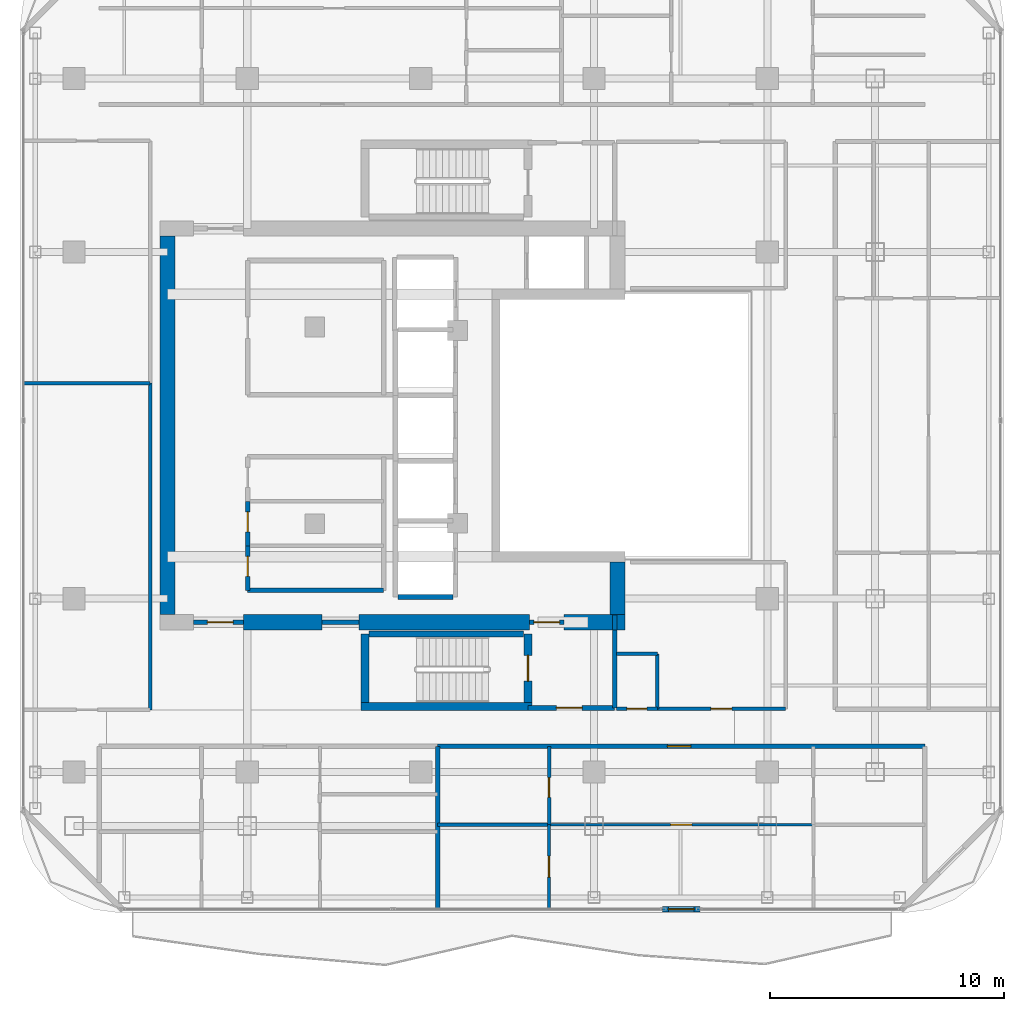
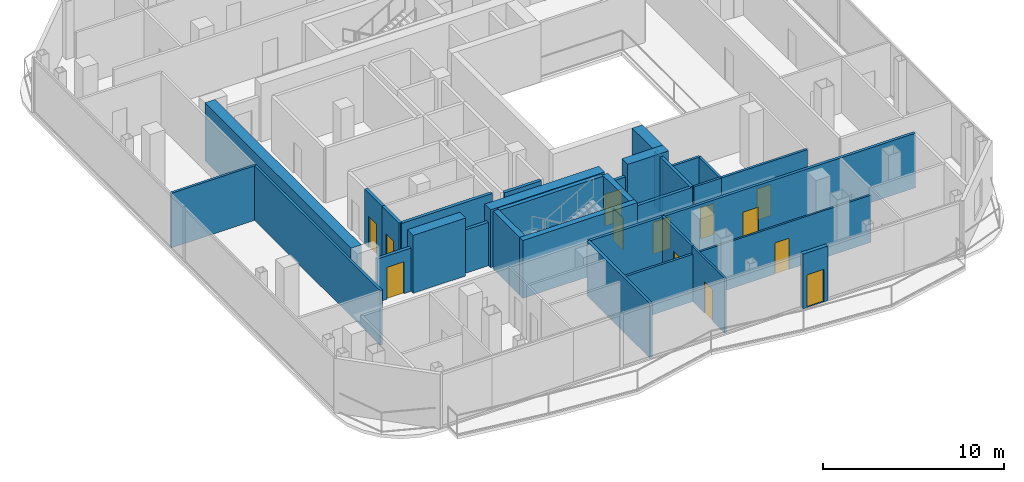
# One storey, part 16 of 22: 32 walls, 13 doors, 13 openings.
"""IFC4 building model written with IfcOpenShell, lengths in metres."""

from ifc_helpers import new_model, si_unit, direction, frame, frame_2d, origin, place, context, subcontext, project, spatial, rectangle, extrude, material, layer, layer_set, type_object, element, fill, save


model = new_model("IFC4")

# Units and contexts
model_context = context("Model", 3, precision=1e-05, world=origin(), true_north=direction((0.0, 1.0)))
body_context = subcontext(model_context, "Body", "Model", "MODEL_VIEW")
ifc_project = project(units=[si_unit("LENGTHUNIT", "METRE"), si_unit("AREAUNIT", "SQUARE_METRE"), si_unit("VOLUMEUNIT", "CUBIC_METRE"), si_unit("PLANEANGLEUNIT", "RADIAN"), si_unit("MASSUNIT", "GRAM", prefix="KILO")], contexts=[model_context])

# Site, building, storey
site_placement = place(None, origin())
site = spatial("IfcSite", under=ifc_project, at=site_placement, CompositionType="ELEMENT")
building_placement = place(site_placement, origin())
building = spatial("IfcBuilding", under=site, at=building_placement, Name="Khorvyn Point Tower", CompositionType="ELEMENT")
storey_placement = place(building_placement, frame((0.0, 0.0, 278.10009765625)))
storey = spatial("IfcBuildingStorey", under=building, at=storey_placement, Name="L68", CompositionType="ELEMENT", Elevation=278.10009765625)

# Wall, opening, door
ifc_material_1 = material(Name="Double acoustic gypsum on twin steel stud", Category="steel")
ifc_layer_1 = layer(ifc_material_1, 0.179931640625)
ifc_layer_set_1 = layer_set([ifc_layer_1], Name="Acoustic Double-Stud Apartment Demising Wall 180")
wall_type_1 = type_object("IfcWallType", Name="Acoustic Double-Stud Apartment Demising Wall 180", PredefinedType="PARTITIONING", material=ifc_layer_set_1)
wall_1_placement = place(storey_placement, frame((0.72802734375, -13.699951171875, 0.0), z_axis=(0.0, 0.0, 1.0), x_axis=(1.0, 0.0, 0.0)))
wall_1 = element("IfcWall", 1, at=wall_1_placement, inside=storey, type_object=wall_type_1, Name="Wall", PredefinedType="PARTITIONING", context=body_context, shape_type="SweptSolid", body=[
    extrude(rectangle(XDim=20.7919921875, YDim=0.179931640625, at=frame_2d((10.39599609375, 0.0))), origin(), (0.0, 0.0, 1.0), 3.679931640625),
])
opening_1_placement = place(wall_1_placement, frame((9.806640625, 0.0, 0.0)))
opening_1 = element("IfcOpeningElement", 2, at=opening_1_placement, cuts=wall_1, Name="Opening ID-AP60", PredefinedType="OPENING", context=body_context, shape_type="SweptSolid", body=[
    extrude(rectangle(XDim=1.0, YDim=2.199951171875, at=frame_2d((0.5, 1.10009765625))), frame((0.0, 0.099853515625, 0.0), z_axis=(0.0, -1.0, 0.0), x_axis=(1.0, 0.0, 0.0)), (0.0, 0.0, 1.0), 0.199951171875),
])
ifc_material_2 = material(Name="Engineered hardwood fire-rated leaf", Category="wood")
door_type_1 = type_object("IfcDoorType", Name="Acoustic Solid-Core Timber Apartment Entrance Door 1000x2200", OperationType="NOTDEFINED", PredefinedType="DOOR", material=ifc_material_2)
door_1_placement = place(opening_1_placement, origin())
door_1 = element("IfcDoor", 3, at=door_1_placement, inside=storey, type_object=door_type_1, Name="Door", OperationType="SINGLE_SWING_RIGHT", OverallHeight=2.199951171875, OverallWidth=1.0, PredefinedType="DOOR", context=body_context, shape_type="SweptSolid", body=[
    extrude(rectangle(XDim=1.0, YDim=2.199951171875, at=frame_2d((0.5, 1.10009765625))), frame((0.0, 0.02490234375, 0.0), z_axis=(0.0, -1.0, 0.0), x_axis=(1.0, 0.0, 0.0)), (0.0, 0.0, 1.0), 0.050048828125),
])
fill(opening_1, door_1)

# Wall
wall_2_placement = place(storey_placement, frame((0.72802734375, -20.6298828125, 0.0), z_axis=(0.0, 0.0, 1.0), x_axis=(0.0, 1.0, 0.0)))
element("IfcWall", 4, at=wall_2_placement, inside=storey, type_object=wall_type_1, Name="Wall", PredefinedType="PARTITIONING", context=body_context, shape_type="SweptSolid", body=[
    extrude(rectangle(XDim=6.929931640625, YDim=0.179931640625, at=frame_2d((3.46484375, 0.0))), origin(), (0.0, 0.0, 1.0), 3.679931640625),
])

# Wall, opening, door
ifc_material_3 = material(Name="Pale anodised aluminium rainscreen on steel stud", Category="steel")
ifc_layer_2 = layer(ifc_material_3, 0.239990234375)
ifc_layer_set_2 = layer_set([ifc_layer_2], Name="Anodised Aluminium Insulated Corner Spandrel Wall 240")
wall_type_2 = type_object("IfcWallType", Name="Anodised Aluminium Insulated Corner Spandrel Wall 240", PredefinedType="SOLIDWALL", material=ifc_layer_set_2)
wall_3_placement = place(storey_placement, frame((11.9140625, -20.64990234375, 0.0), z_axis=(0.0, 0.0, 1.0), x_axis=(-1.0, 0.0, 0.0)))
wall_3 = element("IfcWall", 5, at=wall_3_placement, inside=storey, type_object=wall_type_2, Name="L68 South Outdoor Threshold Wall", PredefinedType="SOLIDWALL", context=body_context, shape_type="SweptSolid", body=[
    extrude(rectangle(XDim=1.580078125, YDim=0.239990234375, at=frame_2d((0.7900390625, 0.0))), origin(), (0.0, 0.0, 1.0), 3.679931640625),
])
opening_2_placement = place(wall_3_placement, frame((0.239990234375, 0.0, 0.0)))
opening_2 = element("IfcOpeningElement", 6, at=opening_2_placement, cuts=wall_3, Name="Opening BD-1122", PredefinedType="OPENING", context=body_context, shape_type="SweptSolid", body=[
    extrude(rectangle(XDim=1.10009765625, YDim=2.199951171875, at=frame_2d((0.550048828125, 1.10009765625))), frame((0.0, 0.1298828125, 0.0), z_axis=(0.0, -1.0, 0.0), x_axis=(1.0, 0.0, 0.0)), (0.0, 0.0, 1.0), 0.260009765625),
])
ifc_material_4 = material(Name="Anodised aluminium 6063-T6 and laminated Low-E glass", Category="aluminium")
door_type_2 = type_object("IfcDoorType", Name="Glazed Balcony and Terrace Threshold Door 1100x2200", OperationType="NOTDEFINED", PredefinedType="DOOR", material=ifc_material_4)
door_2_placement = place(opening_2_placement, origin())
door_2 = element("IfcDoor", 7, at=door_2_placement, inside=storey, type_object=door_type_2, Name="L68 South Glazed Balcony Outdoor Door", OperationType="SINGLE_SWING_RIGHT", OverallHeight=2.199951171875, OverallWidth=1.10009765625, PredefinedType="DOOR", context=body_context, shape_type="SweptSolid", body=[
    extrude(rectangle(XDim=1.10009765625, YDim=2.199951171875, at=frame_2d((0.550048828125, 1.10009765625))), frame((0.0, 0.02490234375, 0.0), z_axis=(0.0, -1.0, 0.0), x_axis=(1.0, 0.0, 0.0)), (0.0, 0.0, 1.0), 0.050048828125),
])
fill(opening_2, door_2)

# Walls
ifc_material_5 = material(Name="Concrete C40/50", Category="concrete")
ifc_layer_3 = layer(ifc_material_5, 0.64990234375)
ifc_layer_set_3 = layer_set([ifc_layer_3], Name="Concrete C40/50 Core Shear Wall 650")
wall_type_3 = type_object("IfcWallType", Name="Concrete C40/50 Core Shear Wall 650", PredefinedType="SHEAR", material=ifc_layer_set_3)
wall_4_placement = place(storey_placement, frame((-7.550048828125, -8.39990234375, 0.0), z_axis=(0.0, 0.0, 1.0), x_axis=(1.0, 0.0, 0.0)))
element("IfcWall", 8, at=wall_4_placement, inside=storey, type_object=wall_type_3, Name="Wall", PredefinedType="SHEAR", context=body_context, shape_type="SweptSolid", body=[
    extrude(rectangle(XDim=3.35009765625, YDim=0.64990234375, at=frame_2d((1.675048828125, 0.0))), origin(), (0.0, 0.0, 1.0), 3.89990234375),
])
wall_5_placement = place(storey_placement, frame((-2.6201171875, -8.39990234375, 0.0), z_axis=(0.0, 0.0, 1.0), x_axis=(1.0, 0.0, 0.0)))
element("IfcWall", 9, at=wall_5_placement, inside=storey, type_object=wall_type_3, Name="Wall", PredefinedType="SHEAR", context=body_context, shape_type="SweptSolid", body=[
    extrude(rectangle(XDim=7.27001953125, YDim=0.64990234375, at=frame_2d((3.635009765625, 0.0))), origin(), (0.0, 0.0, 1.0), 3.89990234375),
])
wall_6_placement = place(storey_placement, frame((6.1201171875, -8.39990234375, 0.0), z_axis=(0.0, 0.0, 1.0), x_axis=(1.0, 0.0, 0.0)))
element("IfcWall", 10, at=wall_6_placement, inside=storey, type_object=wall_type_3, Name="Wall", PredefinedType="SHEAR", context=body_context, shape_type="SweptSolid", body=[
    extrude(rectangle(XDim=2.60498046875, YDim=0.64990234375, at=frame_2d((1.302490234375, 0.0))), origin(), (0.0, 0.0, 1.0), 3.89990234375),
])
wall_7_placement = place(storey_placement, frame((-10.800048828125, -8.074951171875, 0.0), z_axis=(0.0, 0.0, 1.0), x_axis=(0.0, 1.0, 0.0)))
element("IfcWall", 11, at=wall_7_placement, inside=storey, type_object=wall_type_3, Name="Wall", PredefinedType="SHEAR", context=body_context, shape_type="SweptSolid", body=[
    extrude(rectangle(XDim=16.14990234375, YDim=0.64990234375, at=frame_2d((8.074951171875, 0.0))), origin(), (0.0, 0.0, 1.0), 3.89990234375),
])
wall_8_placement = place(storey_placement, frame((8.39990234375, -8.074951171875, 0.0), z_axis=(0.0, 0.0, 1.0), x_axis=(0.0, 1.0, 0.0)))
element("IfcWall", 12, at=wall_8_placement, inside=storey, type_object=wall_type_3, Name="Wall", PredefinedType="SHEAR", context=body_context, shape_type="SweptSolid", body=[
    extrude(rectangle(XDim=2.25, YDim=0.64990234375, at=frame_2d((1.125, 0.0))), origin(), (0.0, 0.0, 1.0), 3.89990234375),
])

# Wall, opening, door
ifc_layer_4 = layer(ifc_material_5, 0.199951171875)
ifc_layer_set_4 = layer_set([ifc_layer_4], Name="Concrete C40/50 Fire-Lobby Compartment Wall 200")
wall_type_4 = type_object("IfcWallType", Name="Concrete C40/50 Fire-Lobby Compartment Wall 200", PredefinedType="SOLIDWALL", material=ifc_layer_set_4)
wall_9_placement = place(storey_placement, frame((4.580078125, -12.06005859375, 0.0), z_axis=(0.0, 0.0, 1.0), x_axis=(1.0, 0.0, 0.0)))
wall_9 = element("IfcWall", 13, at=wall_9_placement, inside=storey, type_object=wall_type_4, Name="Wall", PredefinedType="SOLIDWALL", context=body_context, shape_type="SweptSolid", body=[
    extrude(rectangle(XDim=3.699951171875, YDim=0.199951171875, at=frame_2d((1.85009765625, 0.0))), origin(), (0.0, 0.0, 1.0), 3.679931640625),
])
opening_3_placement = place(wall_9_placement, frame((1.21240234375, 0.0, 0.0)))
opening_3 = element("IfcOpeningElement", 14, at=opening_3_placement, cuts=wall_9, Name="Opening ID-FL90", PredefinedType="OPENING", context=body_context, shape_type="SweptSolid", body=[
    extrude(rectangle(XDim=1.10009765625, YDim=2.14990234375, at=frame_2d((0.550048828125, 1.074951171875))), frame((0.0, 0.10986328125, 0.0), z_axis=(0.0, -1.0, 0.0), x_axis=(1.0, 0.0, 0.0)), (0.0, 0.0, 1.0), 0.219970703125),
])
ifc_material_6 = material(Name="Galvanised powder-coated steel", Category="steel")
door_type_3 = type_object("IfcDoorType", Name="Fire-Rated Steel Lobby and Stair Door 1100x2150", OperationType="NOTDEFINED", PredefinedType="DOOR", material=ifc_material_6)
door_3_placement = place(opening_3_placement, origin())
door_3 = element("IfcDoor", 15, at=door_3_placement, inside=storey, type_object=door_type_3, Name="Door", OperationType="SINGLE_SWING_LEFT", OverallHeight=2.14990234375, OverallWidth=1.10009765625, PredefinedType="DOOR", context=body_context, shape_type="SweptSolid", body=[
    extrude(rectangle(XDim=1.10009765625, YDim=2.14990234375, at=frame_2d((0.550048828125, 1.074951171875))), frame((0.0, 0.02490234375, 0.0), z_axis=(0.0, -1.0, 0.0), x_axis=(1.0, 0.0, 0.0)), (0.0, 0.0, 1.0), 0.050048828125),
])
fill(opening_3, door_3)

wall_10_placement = place(storey_placement, frame((4.64990234375, -8.39990234375, 0.0), z_axis=(0.0, 0.0, 1.0), x_axis=(1.0, 0.0, 0.0)))
wall_10 = element("IfcWall", 16, at=wall_10_placement, inside=storey, type_object=wall_type_4, Name="Wall", PredefinedType="SOLIDWALL", context=body_context, shape_type="SweptSolid", body=[
    extrude(rectangle(XDim=1.47021484375, YDim=0.199951171875, at=frame_2d((0.735107421875, 0.0))), origin(), (0.0, 0.0, 1.0), 2.919921875),
])
opening_4_placement = place(wall_10_placement, frame((0.18505859375, 0.0, 0.0)))
opening_4 = element("IfcOpeningElement", 17, at=opening_4_placement, cuts=wall_10, Name="Opening ID-FL90", PredefinedType="OPENING", context=body_context, shape_type="SweptSolid", body=[
    extrude(rectangle(XDim=1.10009765625, YDim=2.14990234375, at=frame_2d((0.550048828125, 1.074951171875))), frame((0.0, 0.10986328125, 0.0), z_axis=(0.0, -1.0, 0.0), x_axis=(1.0, 0.0, 0.0)), (0.0, 0.0, 1.0), 0.219970703125),
])
door_4_placement = place(opening_4_placement, origin())
door_4 = element("IfcDoor", 18, at=door_4_placement, inside=storey, type_object=door_type_3, Name="Door", OperationType="SINGLE_SWING_RIGHT", OverallHeight=2.14990234375, OverallWidth=1.10009765625, PredefinedType="DOOR", context=body_context, shape_type="SweptSolid", body=[
    extrude(rectangle(XDim=1.10009765625, YDim=2.14990234375, at=frame_2d((0.550048828125, 1.074951171875))), frame((0.0, 0.02490234375, 0.0), z_axis=(0.0, -1.0, 0.0), x_axis=(1.0, 0.0, 0.0)), (0.0, 0.0, 1.0), 0.050048828125),
])
fill(opening_4, door_4)

wall_11_placement = place(storey_placement, frame((-9.699951171875, -8.39990234375, 0.0), z_axis=(0.0, 0.0, 1.0), x_axis=(1.0, 0.0, 0.0)))
wall_11 = element("IfcWall", 19, at=wall_11_placement, inside=storey, type_object=wall_type_4, Name="Wall", PredefinedType="SOLIDWALL", context=body_context, shape_type="SweptSolid", body=[
    extrude(rectangle(XDim=2.14990234375, YDim=0.199951171875, at=frame_2d((1.074951171875, 0.0))), origin(), (0.0, 0.0, 1.0), 2.919921875),
])
opening_5_placement = place(wall_11_placement, frame((0.597900390625, 0.0, 0.0)))
opening_5 = element("IfcOpeningElement", 20, at=opening_5_placement, cuts=wall_11, Name="Opening ID-FL90", PredefinedType="OPENING", context=body_context, shape_type="SweptSolid", body=[
    extrude(rectangle(XDim=1.10009765625, YDim=2.14990234375, at=frame_2d((0.550048828125, 1.074951171875))), frame((0.0, 0.10986328125, 0.0), z_axis=(0.0, -1.0, 0.0), x_axis=(1.0, 0.0, 0.0)), (0.0, 0.0, 1.0), 0.219970703125),
])
door_5_placement = place(opening_5_placement, origin())
door_5 = element("IfcDoor", 21, at=door_5_placement, inside=storey, type_object=door_type_3, Name="Door", OperationType="SINGLE_SWING_RIGHT", OverallHeight=2.14990234375, OverallWidth=1.10009765625, PredefinedType="DOOR", context=body_context, shape_type="SweptSolid", body=[
    extrude(rectangle(XDim=1.10009765625, YDim=2.14990234375, at=frame_2d((0.550048828125, 1.074951171875))), frame((0.0, 0.02490234375, 0.0), z_axis=(0.0, -1.0, 0.0), x_axis=(1.0, 0.0, 0.0)), (0.0, 0.0, 1.0), 0.050048828125),
])
fill(opening_5, door_5)

wall_12_placement = place(storey_placement, frame((-7.3798828125, -7.0400390625, 0.0), z_axis=(0.0, 0.0, 1.0), x_axis=(0.0, 1.0, 0.0)))
wall_12 = element("IfcWall", 22, at=wall_12_placement, inside=storey, type_object=wall_type_4, Name="Wall", PredefinedType="SOLIDWALL", context=body_context, shape_type="SweptSolid", body=[
    extrude(rectangle(XDim=1.900146484375, YDim=0.199951171875, at=frame_2d((0.9501953125, 0.0))), origin(), (0.0, 0.0, 1.0), 3.679931640625),
])
opening_6_placement = place(wall_12_placement, frame((0.597900390625, 0.0, 0.0)))
opening_6 = element("IfcOpeningElement", 23, at=opening_6_placement, cuts=wall_12, Name="Opening ID-WC85", PredefinedType="OPENING", context=body_context, shape_type="SweptSolid", body=[
    extrude(rectangle(XDim=0.85009765625, YDim=2.10009765625, at=frame_2d((0.425048828125, 1.050048828125))), frame((0.0, 0.10986328125, 0.0), z_axis=(0.0, -1.0, 0.0), x_axis=(1.0, 0.0, 0.0)), (0.0, 0.0, 1.0), 0.219970703125),
])
ifc_material_7 = material(Name="High-pressure laminate on moisture-resistant core", Category="wood")
door_type_4 = type_object("IfcDoorType", Name="Moisture-Resistant Accessible Washroom Door 850x2100", OperationType="NOTDEFINED", PredefinedType="DOOR", material=ifc_material_7)
door_6_placement = place(opening_6_placement, origin())
door_6 = element("IfcDoor", 24, at=door_6_placement, inside=storey, type_object=door_type_4, Name="Door", OperationType="SINGLE_SWING_RIGHT", OverallHeight=2.10009765625, OverallWidth=0.85009765625, PredefinedType="DOOR", context=body_context, shape_type="SweptSolid", body=[
    extrude(rectangle(XDim=0.85009765625, YDim=2.10009765625, at=frame_2d((0.425048828125, 1.050048828125))), frame((0.0, 0.02490234375, 0.0), z_axis=(0.0, -1.0, 0.0), x_axis=(1.0, 0.0, 0.0)), (0.0, 0.0, 1.0), 0.050048828125),
])
fill(opening_6, door_6)

wall_13_placement = place(storey_placement, frame((-7.3798828125, -5.139892578125, 0.0), z_axis=(0.0, 0.0, 1.0), x_axis=(0.0, 1.0, 0.0)))
wall_13 = element("IfcWall", 25, at=wall_13_placement, inside=storey, type_object=wall_type_4, Name="Wall", PredefinedType="SOLIDWALL", context=body_context, shape_type="SweptSolid", body=[
    extrude(rectangle(XDim=1.89990234375, YDim=0.199951171875, at=frame_2d((0.949951171875, 0.0))), origin(), (0.0, 0.0, 1.0), 3.679931640625),
])
opening_7_placement = place(wall_13_placement, frame((0.597900390625, 0.0, 0.0)))
opening_7 = element("IfcOpeningElement", 26, at=opening_7_placement, cuts=wall_13, Name="Opening ID-WC85", PredefinedType="OPENING", context=body_context, shape_type="SweptSolid", body=[
    extrude(rectangle(XDim=0.85009765625, YDim=2.10009765625, at=frame_2d((0.425048828125, 1.050048828125))), frame((0.0, 0.10986328125, 0.0), z_axis=(0.0, -1.0, 0.0), x_axis=(1.0, 0.0, 0.0)), (0.0, 0.0, 1.0), 0.219970703125),
])
door_7_placement = place(opening_7_placement, origin())
door_7 = element("IfcDoor", 27, at=door_7_placement, inside=storey, type_object=door_type_4, Name="Door", OperationType="SINGLE_SWING_LEFT", OverallHeight=2.10009765625, OverallWidth=0.85009765625, PredefinedType="DOOR", context=body_context, shape_type="SweptSolid", body=[
    extrude(rectangle(XDim=0.85009765625, YDim=2.10009765625, at=frame_2d((0.425048828125, 1.050048828125))), frame((0.0, 0.02490234375, 0.0), z_axis=(0.0, -1.0, 0.0), x_axis=(1.0, 0.0, 0.0)), (0.0, 0.0, 1.0), 0.050048828125),
])
fill(opening_7, door_7)

# Walls
wall_14_placement = place(storey_placement, frame((8.280029296875, -12.06005859375, 0.0), z_axis=(0.0, 0.0, 1.0), x_axis=(0.0, 1.0, 0.0)))
element("IfcWall", 28, at=wall_14_placement, inside=storey, type_object=wall_type_4, Name="Wall", PredefinedType="SOLIDWALL", context=body_context, shape_type="SweptSolid", body=[
    extrude(rectangle(XDim=3.3349609375, YDim=0.199951171875, at=frame_2d((1.66748046875, 0.0))), origin(), (0.0, 0.0, 1.0), 3.679931640625),
])
wall_15_placement = place(storey_placement, frame((-4.199951171875, -8.39990234375, 0.0), z_axis=(0.0, 0.0, 1.0), x_axis=(1.0, 0.0, 0.0)))
element("IfcWall", 29, at=wall_15_placement, inside=storey, type_object=wall_type_4, Name="Wall", PredefinedType="SOLIDWALL", context=body_context, shape_type="SweptSolid", body=[
    extrude(rectangle(XDim=1.579833984375, YDim=0.199951171875, at=frame_2d((0.7900390625, 0.0))), origin(), (0.0, 0.0, 1.0), 2.919921875),
])
wall_16_placement = place(storey_placement, frame((-7.3798828125, -7.0400390625, 0.0), z_axis=(0.0, 0.0, 1.0), x_axis=(1.0, 0.0, 0.0)))
element("IfcWall", 30, at=wall_16_placement, inside=storey, type_object=wall_type_4, Name="Wall", PredefinedType="SOLIDWALL", context=body_context, shape_type="SweptSolid", body=[
    extrude(rectangle(XDim=5.7998046875, YDim=0.199951171875, at=frame_2d((2.89990234375, 0.0))), origin(), (0.0, 0.0, 1.0), 3.679931640625),
])
wall_17_placement = place(storey_placement, frame((8.280029296875, -8.72509765625, 0.0), z_axis=(0.0, 0.0, 1.0), x_axis=(0.0, 1.0, 0.0)))
element("IfcWall", 31, at=wall_17_placement, inside=storey, type_object=wall_type_4, Name="Wall", PredefinedType="SOLIDWALL", context=body_context, shape_type="SweptSolid", body=[
    extrude(rectangle(XDim=0.625, YDim=0.199951171875, at=frame_2d((0.3125, 0.0))), origin(), (0.0, 0.0, 1.0), 3.679931640625),
])
ifc_layer_5 = layer(ifc_material_5, 0.25)
ifc_layer_set_5 = layer_set([ifc_layer_5], Name="Concrete C40/50 Stair Inner Cheek Structural Wall 250")
wall_type_5 = type_object("IfcWallType", Name="Concrete C40/50 Stair Inner Cheek Structural Wall 250", PredefinedType="SHEAR", material=ifc_layer_set_5)
wall_18_placement = place(storey_placement, frame((-2.199951171875, -8.89990234375, 0.0), z_axis=(0.0, 0.0, 1.0), x_axis=(1.0, 0.0, 0.0)))
element("IfcWall", 32, at=wall_18_placement, inside=storey, type_object=wall_type_5, Name="Wall", PredefinedType="SHEAR", context=body_context, shape_type="SweptSolid", body=[
    extrude(rectangle(XDim=6.599853515625, YDim=0.25, at=frame_2d((3.2998046875, 0.0))), origin(), (0.0, 0.0, 1.0), 3.89990234375),
])
ifc_layer_6 = layer(ifc_material_5, 0.35009765625)
ifc_layer_set_6 = layer_set([ifc_layer_6], Name="Concrete C40/50 Stair Shaft Structural Wall 350")
wall_type_6 = type_object("IfcWallType", Name="Concrete C40/50 Stair Shaft Structural Wall 350", PredefinedType="SHEAR", material=ifc_layer_set_6)
wall_19_placement = place(storey_placement, frame((-2.554931640625, -12.0, 0.0), z_axis=(0.0, 0.0, 1.0), x_axis=(1.0, 0.0, 0.0)))
element("IfcWall", 33, at=wall_19_placement, inside=storey, type_object=wall_type_6, Name="L68 ST-01 South Shaft Wall", PredefinedType="SHEAR", context=body_context, shape_type="SweptSolid", body=[
    extrude(rectangle(XDim=7.309814453125, YDim=0.35009765625, at=frame_2d((3.65478515625, 0.0))), origin(), (0.0, 0.0, 1.0), 3.89990234375),
])
wall_20_placement = place(storey_placement, frame((-2.3798828125, -11.824951171875, 0.0), z_axis=(0.0, 0.0, 1.0), x_axis=(0.0, 1.0, 0.0)))
element("IfcWall", 34, at=wall_20_placement, inside=storey, type_object=wall_type_6, Name="L68 ST-01 West Shaft Wall", PredefinedType="SHEAR", context=body_context, shape_type="SweptSolid", body=[
    extrude(rectangle(XDim=2.925048828125, YDim=0.35009765625, at=frame_2d((1.46240234375, 0.0))), origin(), (0.0, 0.0, 1.0), 3.89990234375),
])

# Wall, opening, door
wall_21_placement = place(storey_placement, frame((4.580078125, -8.89990234375, 0.0), z_axis=(0.0, 0.0, 1.0), x_axis=(0.0, -1.0, 0.0)))
wall_21 = element("IfcWall", 35, at=wall_21_placement, inside=storey, type_object=wall_type_6, Name="L68 ST-01 East Landing Door Wall", PredefinedType="SHEAR", context=body_context, shape_type="SweptSolid", body=[
    extrude(rectangle(XDim=2.925048828125, YDim=0.35009765625, at=frame_2d((1.46240234375, 0.0))), origin(), (0.0, 0.0, 1.0), 3.89990234375),
])
opening_8_placement = place(wall_21_placement, frame((0.91259765625, 0.0, 0.0)))
opening_8 = element("IfcOpeningElement", 36, at=opening_8_placement, cuts=wall_21, Name="Opening ID-FL90", PredefinedType="OPENING", context=body_context, shape_type="SweptSolid", body=[
    extrude(rectangle(XDim=1.10009765625, YDim=2.14990234375, at=frame_2d((0.550048828125, 1.074951171875))), frame((0.0, 0.18505859375, 0.0), z_axis=(0.0, -1.0, 0.0), x_axis=(1.0, 0.0, 0.0)), (0.0, 0.0, 1.0), 0.3701171875),
])
door_8_placement = place(opening_8_placement, origin())
door_8 = element("IfcDoor", 37, at=door_8_placement, inside=storey, type_object=door_type_3, Name="L68 ST-01 Smokeproof Landing Door", OperationType="SINGLE_SWING_RIGHT", OverallHeight=2.14990234375, OverallWidth=1.10009765625, PredefinedType="DOOR", context=body_context, shape_type="SweptSolid", body=[
    extrude(rectangle(XDim=1.10009765625, YDim=2.14990234375, at=frame_2d((0.550048828125, 1.074951171875))), frame((0.0, 0.02490234375, 0.0), z_axis=(0.0, -1.0, 0.0), x_axis=(1.0, 0.0, 0.0)), (0.0, 0.0, 1.0), 0.050048828125),
])
fill(opening_8, door_8)

# Wall
ifc_layer_7 = layer(ifc_material_5, 0.199951171875)
ifc_layer_set_7 = layer_set([ifc_layer_7], Name="Concrete C40/50 Structural Hoistway and Stair Shaft Wall 200")
wall_type_7 = type_object("IfcWallType", Name="Concrete C40/50 Structural Hoistway and Stair Shaft Wall 200", PredefinedType="SHEAR", material=ifc_layer_set_7)
wall_22_placement = place(storey_placement, frame((-0.97509765625, -7.324951171875, 0.0), z_axis=(0.0, 0.0, 1.0), x_axis=(1.0, 0.0, 0.0)))
element("IfcWall", 38, at=wall_22_placement, inside=storey, type_object=wall_type_7, Name="Wall", PredefinedType="SHEAR", context=body_context, shape_type="SweptSolid", body=[
    extrude(rectangle(XDim=2.35009765625, YDim=0.199951171875, at=frame_2d((1.175048828125, 0.0))), origin(), (0.0, 0.0, 1.0), 3.679931640625),
])

# Wall, opening, door
ifc_material_8 = material(Name="Gypsum plasterboard on steel stud", Category="steel")
ifc_layer_8 = layer(ifc_material_8, 0.1201171875)
ifc_layer_set_8 = layer_set([ifc_layer_8], Name="Gypsum Acoustic Stud Room Partition Wall 120")
wall_type_8 = type_object("IfcWallType", Name="Gypsum Acoustic Stud Room Partition Wall 120", PredefinedType="PARTITIONING", material=ifc_layer_set_8)
wall_23_placement = place(storey_placement, frame((5.47998046875, -17.044921875, 0.0), z_axis=(0.0, 0.0, 1.0), x_axis=(1.0, 0.0, 0.0)))
wall_23 = element("IfcWall", 39, at=wall_23_placement, inside=storey, type_object=wall_type_8, Name="Wall", PredefinedType="PARTITIONING", context=body_context, shape_type="SweptSolid", body=[
    extrude(rectangle(XDim=11.2880859375, YDim=0.1201171875, at=frame_2d((5.64404296875, 0.0))), origin(), (0.0, 0.0, 1.0), 3.181884765625),
])
opening_9_placement = place(wall_23_placement, frame((5.194091796875, 0.0, 0.0)))
opening_9 = element("IfcOpeningElement", 40, at=opening_9_placement, cuts=wall_23, Name="Opening ID-RM90", PredefinedType="OPENING", context=body_context, shape_type="SweptSolid", body=[
    extrude(rectangle(XDim=0.89990234375, YDim=2.10009765625, at=frame_2d((0.449951171875, 1.050048828125))), frame((0.0, 0.070068359375, 0.0), z_axis=(0.0, -1.0, 0.0), x_axis=(1.0, 0.0, 0.0)), (0.0, 0.0, 1.0), 0.14013671875),
])
ifc_material_9 = material(Name="Engineered oak veneer timber", Category="wood")
door_type_5 = type_object("IfcDoorType", Name="Flush Engineered Timber Room Door 900x2100", OperationType="NOTDEFINED", PredefinedType="DOOR", material=ifc_material_9)
door_9_placement = place(opening_9_placement, origin())
door_9 = element("IfcDoor", 41, at=door_9_placement, inside=storey, type_object=door_type_5, Name="Door", OperationType="SINGLE_SWING_LEFT", OverallHeight=2.10009765625, OverallWidth=0.89990234375, PredefinedType="DOOR", context=body_context, shape_type="SweptSolid", body=[
    extrude(rectangle(XDim=0.89990234375, YDim=2.10009765625, at=frame_2d((0.449951171875, 1.050048828125))), frame((0.0, 0.02490234375, 0.0), z_axis=(0.0, -1.0, 0.0), x_axis=(1.0, 0.0, 0.0)), (0.0, 0.0, 1.0), 0.050048828125),
])
fill(opening_9, door_9)

wall_24_placement = place(storey_placement, frame((5.47998046875, -20.6298828125, 0.0), z_axis=(0.0, 0.0, 1.0), x_axis=(0.0, 1.0, 0.0)))
wall_24 = element("IfcWall", 42, at=wall_24_placement, inside=storey, type_object=wall_type_8, Name="Wall", PredefinedType="PARTITIONING", context=body_context, shape_type="SweptSolid", body=[
    extrude(rectangle(XDim=3.5849609375, YDim=0.1201171875, at=frame_2d((1.79248046875, 0.0))), origin(), (0.0, 0.0, 1.0), 3.679931640625),
])
opening_10_placement = place(wall_24_placement, frame((1.342529296875, 0.0, 0.0)))
opening_10 = element("IfcOpeningElement", 43, at=opening_10_placement, cuts=wall_24, Name="Opening ID-RM90", PredefinedType="OPENING", context=body_context, shape_type="SweptSolid", body=[
    extrude(rectangle(XDim=0.89990234375, YDim=2.10009765625, at=frame_2d((0.449951171875, 1.050048828125))), frame((0.0, 0.070068359375, 0.0), z_axis=(0.0, -1.0, 0.0), x_axis=(1.0, 0.0, 0.0)), (0.0, 0.0, 1.0), 0.14013671875),
])
door_10_placement = place(opening_10_placement, origin())
door_10 = element("IfcDoor", 44, at=door_10_placement, inside=storey, type_object=door_type_5, Name="Door", OperationType="SINGLE_SWING_LEFT", OverallHeight=2.10009765625, OverallWidth=0.89990234375, PredefinedType="DOOR", context=body_context, shape_type="SweptSolid", body=[
    extrude(rectangle(XDim=0.89990234375, YDim=2.10009765625, at=frame_2d((0.449951171875, 1.050048828125))), frame((0.0, 0.02490234375, 0.0), z_axis=(0.0, -1.0, 0.0), x_axis=(1.0, 0.0, 0.0)), (0.0, 0.0, 1.0), 0.050048828125),
])
fill(opening_10, door_10)

ifc_material_10 = material(Name="Moisture-resistant gypsum and cement board", Category="gypsum")
ifc_layer_9 = layer(ifc_material_10, 0.14990234375)
ifc_layer_set_9 = layer_set([ifc_layer_9], Name="Moisture-Resistant Wet-Room Partition Wall 150")
wall_type_9 = type_object("IfcWallType", Name="Moisture-Resistant Wet-Room Partition Wall 150", PredefinedType="PARTITIONING", material=ifc_layer_set_9)
wall_25_placement = place(storey_placement, frame((8.360107421875, -12.10009765625, 0.0), z_axis=(0.0, 0.0, 1.0), x_axis=(1.0, 0.0, 0.0)))
wall_25 = element("IfcWall", 45, at=wall_25_placement, inside=storey, type_object=wall_type_9, Name="Wall", PredefinedType="PARTITIONING", context=body_context, shape_type="SweptSolid", body=[
    extrude(rectangle(XDim=1.739990234375, YDim=0.14990234375, at=frame_2d((0.8701171875, 0.0))), origin(), (0.0, 0.0, 1.0), 3.679931640625),
])
opening_11_placement = place(wall_25_placement, frame((0.445068359375, 0.0, 0.0)))
opening_11 = element("IfcOpeningElement", 46, at=opening_11_placement, cuts=wall_25, Name="Opening ID-WC85", PredefinedType="OPENING", context=body_context, shape_type="SweptSolid", body=[
    extrude(rectangle(XDim=0.85009765625, YDim=2.10009765625, at=frame_2d((0.425048828125, 1.050048828125))), frame((0.0, 0.0849609375, 0.0), z_axis=(0.0, -1.0, 0.0), x_axis=(1.0, 0.0, 0.0)), (0.0, 0.0, 1.0), 0.169921875),
])
door_11_placement = place(opening_11_placement, origin())
door_11 = element("IfcDoor", 47, at=door_11_placement, inside=storey, type_object=door_type_4, Name="Door", OperationType="SINGLE_SWING_RIGHT", OverallHeight=2.10009765625, OverallWidth=0.85009765625, PredefinedType="DOOR", context=body_context, shape_type="SweptSolid", body=[
    extrude(rectangle(XDim=0.85009765625, YDim=2.10009765625, at=frame_2d((0.425048828125, 1.050048828125))), frame((0.0, 0.02490234375, 0.0), z_axis=(0.0, -1.0, 0.0), x_axis=(1.0, 0.0, 0.0)), (0.0, 0.0, 1.0), 0.050048828125),
])
fill(opening_11, door_11)

wall_26_placement = place(storey_placement, frame((10.10009765625, -12.10009765625, 0.0), z_axis=(0.0, 0.0, 1.0), x_axis=(1.0, 0.0, 0.0)))
wall_26 = element("IfcWall", 48, at=wall_26_placement, inside=storey, type_object=wall_type_9, Name="Wall", PredefinedType="PARTITIONING", context=body_context, shape_type="SweptSolid", body=[
    extrude(rectangle(XDim=5.47998046875, YDim=0.14990234375, at=frame_2d((2.739990234375, 0.0))), origin(), (0.0, 0.0, 1.0), 3.679931640625),
])
opening_12_placement = place(wall_26_placement, frame((2.2900390625, 0.0, 0.0)))
opening_12 = element("IfcOpeningElement", 49, at=opening_12_placement, cuts=wall_26, Name="Opening ID-RM90", PredefinedType="OPENING", context=body_context, shape_type="SweptSolid", body=[
    extrude(rectangle(XDim=0.89990234375, YDim=2.10009765625, at=frame_2d((0.449951171875, 1.050048828125))), frame((0.0, 0.0849609375, 0.0), z_axis=(0.0, -1.0, 0.0), x_axis=(1.0, 0.0, 0.0)), (0.0, 0.0, 1.0), 0.169921875),
])
door_12_placement = place(opening_12_placement, origin())
door_12 = element("IfcDoor", 50, at=door_12_placement, inside=storey, type_object=door_type_5, Name="Door", OperationType="SINGLE_SWING_LEFT", OverallHeight=2.10009765625, OverallWidth=0.89990234375, PredefinedType="DOOR", context=body_context, shape_type="SweptSolid", body=[
    extrude(rectangle(XDim=0.89990234375, YDim=2.10009765625, at=frame_2d((0.449951171875, 1.050048828125))), frame((0.0, 0.02490234375, 0.0), z_axis=(0.0, -1.0, 0.0), x_axis=(1.0, 0.0, 0.0)), (0.0, 0.0, 1.0), 0.050048828125),
])
fill(opening_12, door_12)

wall_27_placement = place(storey_placement, frame((5.47998046875, -17.044921875, 0.0), z_axis=(0.0, 0.0, 1.0), x_axis=(0.0, 1.0, 0.0)))
wall_27 = element("IfcWall", 51, at=wall_27_placement, inside=storey, type_object=wall_type_9, Name="Wall", PredefinedType="PARTITIONING", context=body_context, shape_type="SweptSolid", body=[
    extrude(rectangle(XDim=3.344970703125, YDim=0.14990234375, at=frame_2d((1.67236328125, 0.0))), origin(), (0.0, 0.0, 1.0), 3.679931640625),
])
opening_13_placement = place(wall_27_placement, frame((1.163818359375, 0.0, 0.0)))
opening_13 = element("IfcOpeningElement", 52, at=opening_13_placement, cuts=wall_27, Name="Opening ID-WC85", PredefinedType="OPENING", context=body_context, shape_type="SweptSolid", body=[
    extrude(rectangle(XDim=0.85009765625, YDim=2.10009765625, at=frame_2d((0.425048828125, 1.050048828125))), frame((0.0, 0.0849609375, 0.0), z_axis=(0.0, -1.0, 0.0), x_axis=(1.0, 0.0, 0.0)), (0.0, 0.0, 1.0), 0.169921875),
])
door_13_placement = place(opening_13_placement, origin())
door_13 = element("IfcDoor", 53, at=door_13_placement, inside=storey, type_object=door_type_4, Name="Door", OperationType="SINGLE_SWING_RIGHT", OverallHeight=2.10009765625, OverallWidth=0.85009765625, PredefinedType="DOOR", context=body_context, shape_type="SweptSolid", body=[
    extrude(rectangle(XDim=0.85009765625, YDim=2.10009765625, at=frame_2d((0.425048828125, 1.050048828125))), frame((0.0, 0.02490234375, 0.0), z_axis=(0.0, -1.0, 0.0), x_axis=(1.0, 0.0, 0.0)), (0.0, 0.0, 1.0), 0.050048828125),
])
fill(opening_13, door_13)

# Walls
wall_28_placement = place(storey_placement, frame((8.360107421875, -9.75, 0.0), z_axis=(0.0, 0.0, 1.0), x_axis=(1.0, 0.0, 0.0)))
element("IfcWall", 54, at=wall_28_placement, inside=storey, type_object=wall_type_9, Name="Wall", PredefinedType="PARTITIONING", context=body_context, shape_type="SweptSolid", body=[
    extrude(rectangle(XDim=1.739990234375, YDim=0.14990234375, at=frame_2d((0.8701171875, 0.0))), origin(), (0.0, 0.0, 1.0), 3.679931640625),
])
wall_29_placement = place(storey_placement, frame((10.10009765625, -12.10009765625, 0.0), z_axis=(0.0, 0.0, 1.0), x_axis=(0.0, 1.0, 0.0)))
element("IfcWall", 55, at=wall_29_placement, inside=storey, type_object=wall_type_9, Name="Wall", PredefinedType="PARTITIONING", context=body_context, shape_type="SweptSolid", body=[
    extrude(rectangle(XDim=2.35009765625, YDim=0.14990234375, at=frame_2d((1.175048828125, 0.0))), origin(), (0.0, 0.0, 1.0), 3.679931640625),
])
wall_30_placement = place(storey_placement, frame((0.72802734375, -17.044921875, 0.0), z_axis=(0.0, 0.0, 1.0), x_axis=(1.0, 0.0, 0.0)))
element("IfcWall", 56, at=wall_30_placement, inside=storey, type_object=wall_type_9, Name="Wall", PredefinedType="PARTITIONING", context=body_context, shape_type="SweptSolid", body=[
    extrude(rectangle(XDim=4.751953125, YDim=0.14990234375, at=frame_2d((2.3759765625, 0.0))), origin(), (0.0, 0.0, 1.0), 3.181884765625),
])
wall_31_placement = place(storey_placement, frame((-16.929931640625, 1.800048828125, 0.0), z_axis=(0.0, 0.0, 1.0), x_axis=(1.0, 0.0, 0.0)))
element("IfcWall", 57, at=wall_31_placement, inside=storey, type_object=wall_type_9, Name="Wall", PredefinedType="PARTITIONING", context=body_context, shape_type="SweptSolid", body=[
    extrude(rectangle(XDim=5.3798828125, YDim=0.14990234375, at=frame_2d((2.68994140625, 0.0))), origin(), (0.0, 0.0, 1.0), 3.679931640625),
])
wall_32_placement = place(storey_placement, frame((-11.550048828125, -12.139892578125, 0.0), z_axis=(0.0, 0.0, 1.0), x_axis=(0.0, 1.0, 0.0)))
element("IfcWall", 58, at=wall_32_placement, inside=storey, type_object=wall_type_9, Name="Wall", PredefinedType="PARTITIONING", context=body_context, shape_type="SweptSolid", body=[
    extrude(rectangle(XDim=13.93994140625, YDim=0.14990234375, at=frame_2d((6.969970703125, 0.0))), origin(), (0.0, 0.0, 1.0), 3.679931640625),
])

save(model, "model.ifc")
